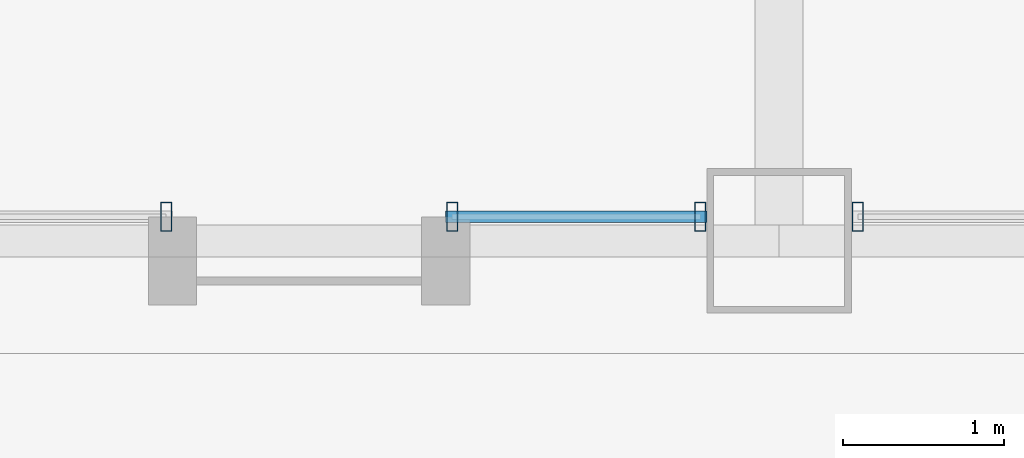
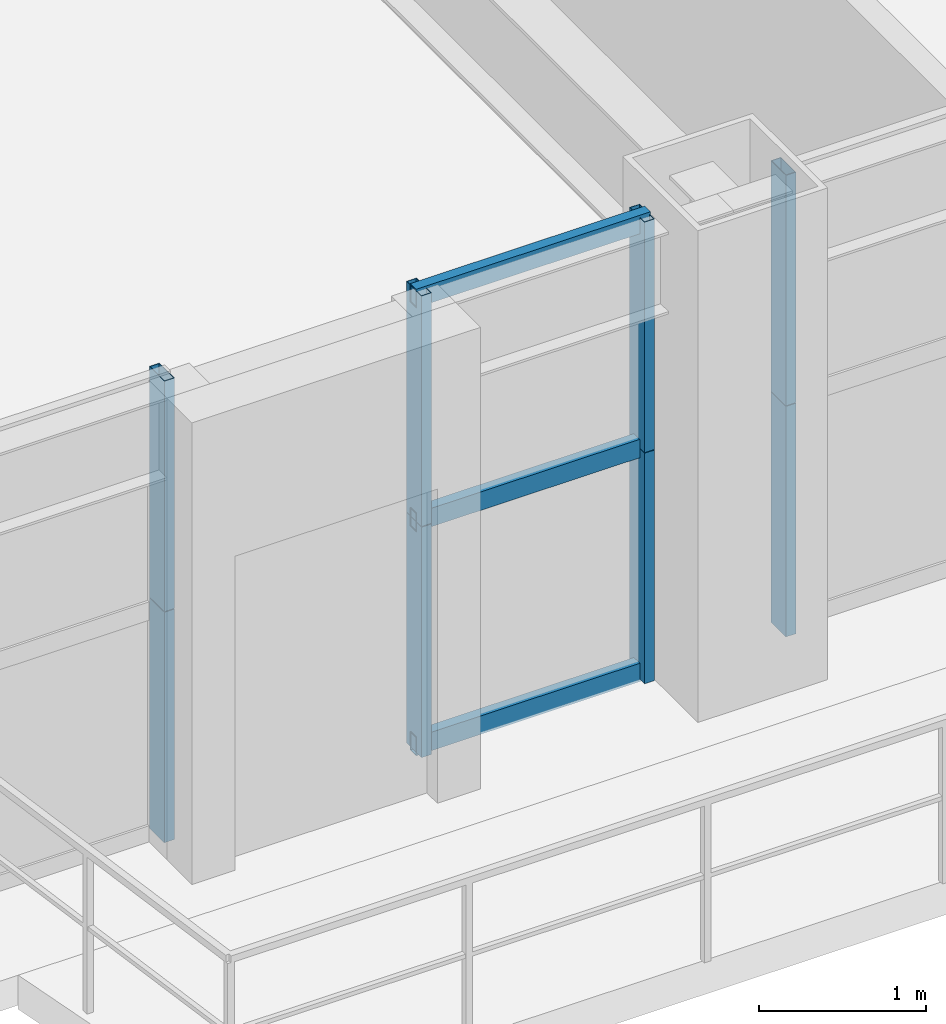
# One storey, part 8 of 43: 11 members, 3 elements without a shape of their own.
"""IFC4 building model written with IfcOpenShell, lengths in metres."""

from ifc_helpers import new_model, si_unit, direction, frame, origin, origin_2d, place, context, subcontext, project, spatial, hollow_rectangle, extrude, source, transform, mapped, material, layer, layer_set, material_profile, profile_set, type_object, element, aggregate, save


model = new_model("IFC4")

# Units and contexts
model_context = context("Model", 3, precision=1e-05, world=origin(), true_north=direction((0.0, 1.0)))
body_context = subcontext(model_context, "Body", "Model", "MODEL_VIEW")
ifc_project = project(units=[si_unit("LENGTHUNIT", "METRE"), si_unit("AREAUNIT", "SQUARE_METRE"), si_unit("VOLUMEUNIT", "CUBIC_METRE"), si_unit("PLANEANGLEUNIT", "RADIAN"), si_unit("MASSUNIT", "GRAM", prefix="KILO"), si_unit("THERMODYNAMICTEMPERATUREUNIT", "KELVIN"), si_unit("POWERUNIT", "WATT")], contexts=[model_context])

# Site, building, storey
site_placement = place(None, origin())
site = spatial("IfcSite", under=ifc_project, at=site_placement, CompositionType="ELEMENT")
building_placement = place(site_placement, origin())
building = spatial("IfcBuilding", under=site, at=building_placement, Name="Yuzanri Waterfront Tower", CompositionType="ELEMENT")
storey_placement = place(building_placement, frame((0.0, 0.0, 71.199951171875)))
storey = spatial("IfcBuildingStorey", under=building, at=storey_placement, Name="L18", CompositionType="ELEMENT", Elevation=71.199951171875)

# Curtain wall, members
ifc_material_1 = material(Name="Anodized Architectural Bronze", Category="metal")
ifc_layer = layer(ifc_material_1, 0.159912109375)
ifc_layer_set = layer_set([ifc_layer], Name="Anodized Architectural Bronze")
curtain_wall_type = type_object("IfcCurtainWallType", Name="Anodized Bronze Hotel Lower-Tier Recessed Unitized Curtain Wall 8100", PredefinedType="NOTDEFINED", material=ifc_layer_set)
curtain_wall_1_placement = place(storey_placement, origin())
curtain_wall_1 = element("IfcCurtainWall", 1, at=curtain_wall_1_placement, inside=storey, type_object=curtain_wall_type, Name="L18 Curtain Wall CW-L18-SL1", PredefinedType="NOTDEFINED")
ifc_material_2 = material(Name="Anodized Architectural Bronze", Category="metal")
ifc_material_profile_1 = material_profile(ifc_material_2, hollow_rectangle(XDim=0.070068359375, YDim=0.179931640625, WallThickness=0.00390625, at=origin_2d()), Name="CWM 70x180")
ifc_profile_set_1 = profile_set([ifc_material_profile_1], Name="Anodized Architectural Bronze")
member_type_1 = type_object("IfcMemberType", Name="Anodized Bronze Standard Curtain-Wall Mullion 70x180", PredefinedType="MULLION", material=ifc_profile_set_1)
shared_shape_1 = source(origin(), body_context, "Body", "SweptSolid", [
    extrude(hollow_rectangle(XDim=0.070068359375, YDim=0.179931640625, WallThickness=0.00390625, at=origin_2d()), origin(), (0.0, 0.0, 1.0), 1.68798828125),
])
member_1_placement = place(storey_placement, frame((33.18505859375, 0.85009765625, 0.0), z_axis=(0.0, 0.0, 1.0), x_axis=(1.0, 0.0, 0.0)))
member_1 = element("IfcMember", 2, at=member_1_placement, type_object=member_type_1, Name="CW-L18-SL1 Lower Mullion 02", PredefinedType="MULLION", context=body_context, shape_type="MappedRepresentation", body=[
    mapped(shared_shape_1, transform((0.0, 0.0, 0.0), scale=1.0)),
])
member_2_placement = place(storey_placement, frame((33.18505859375, 0.85009765625, 1.692138671875), z_axis=(0.0, 0.0, 1.0), x_axis=(1.0, 0.0, 0.0)))
member_2 = element("IfcMember", 3, at=member_2_placement, type_object=member_type_1, Name="CW-L18-SL1 Upper Mullion 02", PredefinedType="MULLION", context=body_context, shape_type="MappedRepresentation", body=[
    mapped(shared_shape_1, transform((0.0, 0.0, 0.0), scale=1.0)),
])
aggregate(curtain_wall_1, [member_1, member_2])

curtain_wall_2_placement = place(storey_placement, origin())
curtain_wall_2 = element("IfcCurtainWall", 4, at=curtain_wall_2_placement, inside=storey, type_object=curtain_wall_type, Name="L18 Curtain Wall CW-L18-SL2", PredefinedType="NOTDEFINED")
member_3_placement = place(storey_placement, frame((34.965087890625, 0.85009765625, 0.0), z_axis=(0.0, 0.0, 1.0), x_axis=(1.0, 0.0, 0.0)))
member_3 = element("IfcMember", 5, at=member_3_placement, type_object=member_type_1, Name="CW-L18-SL2 Lower Mullion 00", PredefinedType="MULLION", context=body_context, shape_type="MappedRepresentation", body=[
    mapped(shared_shape_1, transform((0.0, 0.0, 0.0), scale=1.0)),
])
member_4_placement = place(storey_placement, frame((34.965087890625, 0.85009765625, 1.692138671875), z_axis=(0.0, 0.0, 1.0), x_axis=(1.0, 0.0, 0.0)))
member_4 = element("IfcMember", 6, at=member_4_placement, type_object=member_type_1, Name="CW-L18-SL2 Upper Mullion 00", PredefinedType="MULLION", context=body_context, shape_type="MappedRepresentation", body=[
    mapped(shared_shape_1, transform((0.0, 0.0, 0.0), scale=1.0)),
])
member_5_placement = place(storey_placement, frame((36.510009765625, 0.85009765625, 0.0), z_axis=(0.0, 0.0, 1.0), x_axis=(1.0, 0.0, 0.0)))
member_5 = element("IfcMember", 7, at=member_5_placement, type_object=member_type_1, Name="CW-L18-SL2 Lower Mullion 01", PredefinedType="MULLION", context=body_context, shape_type="MappedRepresentation", body=[
    mapped(shared_shape_1, transform((0.0, 0.0, 0.0), scale=1.0)),
])
member_6_placement = place(storey_placement, frame((36.510009765625, 0.85009765625, 1.692138671875), z_axis=(0.0, 0.0, 1.0), x_axis=(1.0, 0.0, 0.0)))
member_6 = element("IfcMember", 8, at=member_6_placement, type_object=member_type_1, Name="CW-L18-SL2 Upper Mullion 01", PredefinedType="MULLION", context=body_context, shape_type="MappedRepresentation", body=[
    mapped(shared_shape_1, transform((0.0, 0.0, 0.0), scale=1.0)),
])

curtain_wall_3_placement = place(storey_placement, origin())
curtain_wall_3 = element("IfcCurtainWall", 9, at=curtain_wall_3_placement, inside=storey, type_object=curtain_wall_type, Name="L18 Curtain Wall CW-L18-SR", PredefinedType="NOTDEFINED")
member_7_placement = place(storey_placement, frame((37.489990234375, 0.85009765625, 0.0), z_axis=(0.0, 0.0, 1.0), x_axis=(1.0, 0.0, 0.0)))
member_7 = element("IfcMember", 10, at=member_7_placement, type_object=member_type_1, Name="CW-L18-SR Lower Mullion 00", PredefinedType="MULLION", context=body_context, shape_type="MappedRepresentation", body=[
    mapped(shared_shape_1, transform((0.0, 0.0, 0.0), scale=1.0)),
])
member_8_placement = place(storey_placement, frame((37.489990234375, 0.85009765625, 1.692138671875), z_axis=(0.0, 0.0, 1.0), x_axis=(1.0, 0.0, 0.0)))
member_8 = element("IfcMember", 11, at=member_8_placement, type_object=member_type_1, Name="CW-L18-SR Upper Mullion 00", PredefinedType="MULLION", context=body_context, shape_type="MappedRepresentation", body=[
    mapped(shared_shape_1, transform((0.0, 0.0, 0.0), scale=1.0)),
])
aggregate(curtain_wall_3, [member_7, member_8])

# Member
ifc_material_3 = material(Name="Anodized Architectural Bronze", Category="metal")
ifc_material_profile_2 = material_profile(ifc_material_3, hollow_rectangle(XDim=0.070068359375, YDim=0.135009765625, WallThickness=0.00341796875, at=origin_2d()), Name="CWT 70x135")
ifc_profile_set_2 = profile_set([ifc_material_profile_2], Name="Anodized Architectural Bronze")
member_type_2 = type_object("IfcMemberType", Name="Anodized Bronze Standard Curtain-Wall Transom 70x135", PredefinedType="USERDEFINED", material=ifc_profile_set_2)
shared_shape_2 = source(origin(), body_context, "Body", "SweptSolid", [
    extrude(hollow_rectangle(XDim=0.070068359375, YDim=0.135009765625, WallThickness=0.00341796875, at=origin_2d()), origin(), (0.0, 0.0, 1.0), 1.625),
])
member_9_placement = place(storey_placement, frame((34.925048828125, 0.85009765625, 0.050048828125), z_axis=(1.0, 0.0, 0.0), x_axis=(0.0, 1.0, 0.0)))
member_9 = element("IfcMember", 12, at=member_9_placement, type_object=member_type_2, Name="CW-L18-SL2 Transom 1", ObjectType="TRANSOM", PredefinedType="USERDEFINED", context=body_context, shape_type="MappedRepresentation", body=[
    mapped(shared_shape_2, transform((0.0, 0.0, 0.0), scale=1.0)),
])

member_10_placement = place(storey_placement, frame((34.925048828125, 0.85009765625, 1.68994140625), z_axis=(1.0, 0.0, 0.0), x_axis=(0.0, 1.0, 0.0)))
member_10 = element("IfcMember", 13, at=member_10_placement, type_object=member_type_2, Name="CW-L18-SL2 Transom 2", ObjectType="TRANSOM", PredefinedType="USERDEFINED", context=body_context, shape_type="MappedRepresentation", body=[
    mapped(shared_shape_2, transform((0.0, 0.0, 0.0), scale=1.0)),
])

member_11_placement = place(storey_placement, frame((34.925048828125, 0.85009765625, 3.330078125), z_axis=(1.0, 0.0, 0.0), x_axis=(0.0, 1.0, 0.0)))
member_11 = element("IfcMember", 14, at=member_11_placement, type_object=member_type_2, Name="CW-L18-SL2 Transom 3", ObjectType="TRANSOM", PredefinedType="USERDEFINED", context=body_context, shape_type="MappedRepresentation", body=[
    mapped(shared_shape_2, transform((0.0, 0.0, 0.0), scale=1.0)),
])

aggregate(curtain_wall_2, [member_3, member_4, member_5, member_6, member_9, member_10, member_11])

save(model, "model.ifc")
